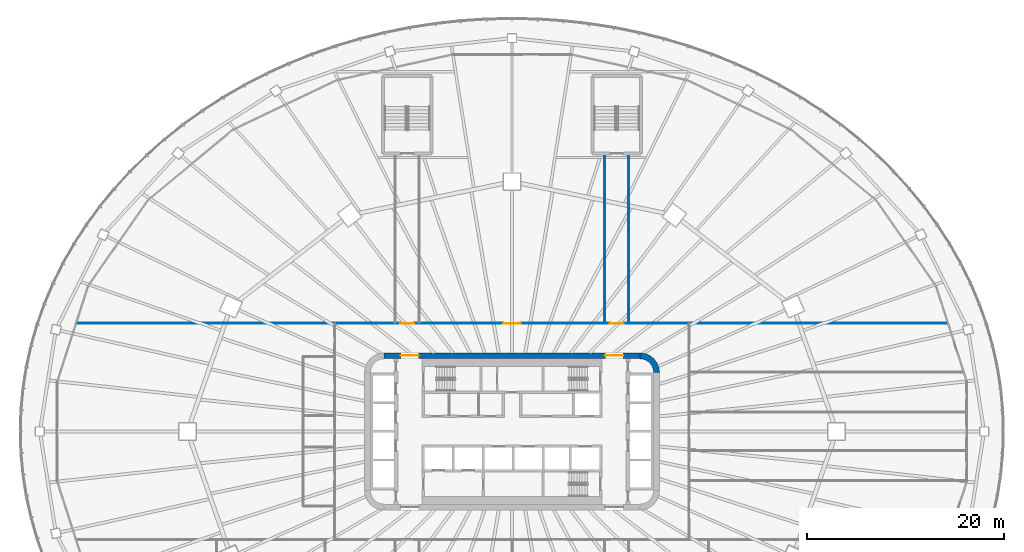
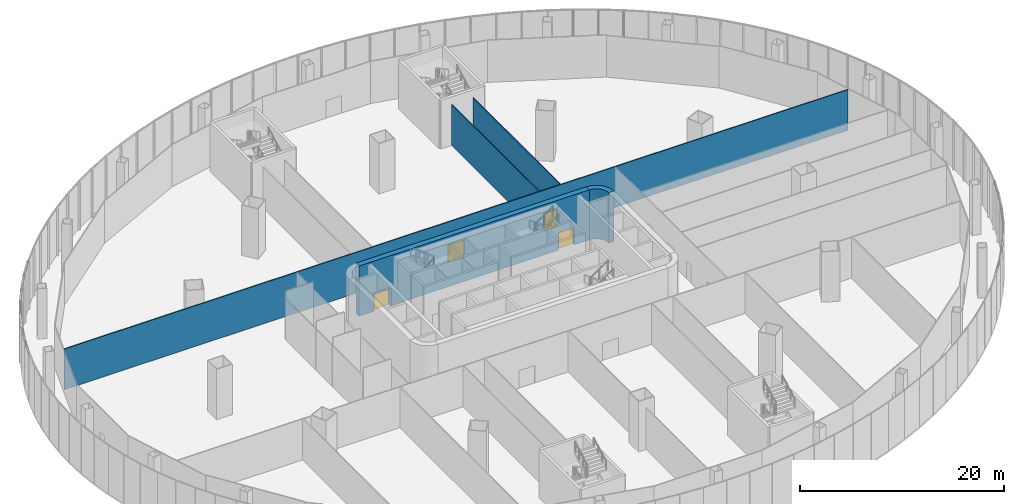
# One storey, part 24 of 37: 5 doors, 5 walls, 5 openings.
"""IFC4 building model written with IfcOpenShell, lengths in metres."""

import ifcopenshell
import ifcopenshell.guid

model = None  # the IFC model being written
_history = None  # IfcOwnerHistory: only IFC2X3 demands one
_inside = {}  # id of a spatial element -> (the spatial element, [elements in it])
_under = {}  # id of a project, library or spatial element -> (it, [spatial elements below it])
_declared = {}  # id of a project -> (the project, [libraries it declares])
_typed = {}  # id of a type object -> (the type object, [elements of that type])
_made_of = {}  # id of a material, layer set ... -> (it, [elements and type objects made of it])


def new_model(schema):
    """Start an empty IFC model of exactly this schema.

    Asked for "IFC4X3", IfcOpenShell would pick the latest addendum, in which some entities
    have other attributes; the version numbers below select the first issue.
    IFC2X3 requires an IfcOwnerHistory on every rooted entity: one is made here for all.
    """
    global model, _history
    if schema == "IFC4X3":
        model = ifcopenshell.file(schema_version=(4, 3, 0, 0))
    else:
        model = ifcopenshell.file(schema=schema)
    _inside.clear()
    _under.clear()
    _declared.clear()
    _typed.clear()
    _made_of.clear()
    _history = None
    if model.schema == "IFC2X3":
        org = make("IfcOrganization", Name="unknown")
        user = make(
            "IfcPersonAndOrganization",
            ThePerson=make("IfcPerson", FamilyName="unknown"),
            TheOrganization=org,
        )
        app = make(
            "IfcApplication",
            ApplicationDeveloper=org,
            Version="unknown",
            ApplicationFullName="unknown",
            ApplicationIdentifier="unknown",
        )
        _history = make(
            "IfcOwnerHistory",
            OwningUser=user,
            OwningApplication=app,
            ChangeAction="ADDED",
            CreationDate=0,
        )
    return model


def make(cls, **values):
    """One entity of the class cls with the attributes given. An attribute that is None is left unset."""
    return model.create_entity(
        cls, **{name: value for name, value in values.items() if value is not None}
    )


def rooted(cls, **values):
    """An entity with a GlobalId (a new one), such as an element, a storey or a relation."""
    return make(cls, GlobalId=ifcopenshell.guid.new(), OwnerHistory=_history, **values)


def si_unit(unit_type, name, prefix=None):
    """IfcSIUnit, for example si_unit("LENGTHUNIT", "METRE", prefix="MILLI")."""
    return make("IfcSIUnit", UnitType=unit_type, Prefix=prefix, Name=name)


def assignment(units):
    """IfcUnitAssignment: the units of a project."""
    return None if units is None else make("IfcUnitAssignment", Units=units)


def point(xyz):
    """IfcCartesianPoint."""
    return None if xyz is None else make("IfcCartesianPoint", Coordinates=xyz)


def direction(xyz):
    """IfcDirection."""
    return None if xyz is None else make("IfcDirection", DirectionRatios=xyz)


def frame(location, z_axis=None, x_axis=None):
    """IfcAxis2Placement3D, a coordinate frame: its origin and axes. An axis left out is left unset."""
    return make(
        "IfcAxis2Placement3D",
        Location=point(location),
        Axis=direction(z_axis),
        RefDirection=direction(x_axis),
    )


def frame_2d(location, x_axis=None):
    """IfcAxis2Placement2D, a coordinate frame in the plane: its origin and x axis."""
    return make(
        "IfcAxis2Placement2D", Location=point(location), RefDirection=direction(x_axis)
    )


def origin():
    """The frame at (0, 0, 0) with its axes left unset."""
    return frame((0.0, 0.0, 0.0))


def place(relative_to, where):
    """IfcLocalPlacement: puts the frame where relative to a parent placement (None: the world)."""
    return make(
        "IfcLocalPlacement", PlacementRelTo=relative_to, RelativePlacement=where
    )


def context(
    kind, dimensions, precision=None, world=None, true_north=None, identifier=None
):
    """IfcGeometricRepresentationContext, for example the 3D "Model" context."""
    return make(
        "IfcGeometricRepresentationContext",
        ContextIdentifier=identifier,
        ContextType=kind,
        CoordinateSpaceDimension=dimensions,
        Precision=precision,
        WorldCoordinateSystem=world,
        TrueNorth=true_north,
    )


def subcontext(parent, identifier, kind, view, scale=None):
    """IfcGeometricRepresentationSubContext, for example "Body" below "Model"."""
    return make(
        "IfcGeometricRepresentationSubContext",
        ContextIdentifier=identifier,
        ContextType=kind,
        ParentContext=parent,
        TargetScale=scale,
        TargetView=view,
    )


def project(units=None, contexts=None):
    """IfcProject with its units and contexts."""
    return rooted(
        "IfcProject",
        Name="project",
        RepresentationContexts=contexts,
        UnitsInContext=assignment(units),
    )


def spatial(cls, under=None, at=None, **own):
    """A site, building, storey or space (cls), placed at a placement, below another one or the project."""
    s = rooted(cls, ObjectPlacement=at, **own)
    if under is not None:
        _under.setdefault(under.id(), (under, []))[1].append(s)
    return s


def polyline(points):
    """IfcPolyline through the points."""
    return make("IfcPolyline", Points=[point(p) for p in points])


def profile(cls, at=None, kind="AREA", **sizes):
    """A parametric profile (cls). Its sizes go by their IFC names, for example OverallWidth=200.0."""
    return make(cls, ProfileType=kind, Position=at, **sizes)


def rectangle(**sizes):
    """IfcRectangleProfileDef."""
    return profile("IfcRectangleProfileDef", **sizes)


def outline(outer, holes=None, kind="AREA"):
    """IfcArbitraryClosedProfileDef: a profile drawn as a closed curve; with holes, ...WithVoids."""
    if holes is None:
        return make("IfcArbitraryClosedProfileDef", ProfileType=kind, OuterCurve=outer)
    return make(
        "IfcArbitraryProfileDefWithVoids",
        ProfileType=kind,
        OuterCurve=outer,
        InnerCurves=holes,
    )


def extrude(swept, where, along, depth):
    """IfcExtrudedAreaSolid: the profile swept, set in the frame where, extruded along a direction by depth."""
    return make(
        "IfcExtrudedAreaSolid",
        SweptArea=swept,
        Position=where,
        ExtrudedDirection=direction(along),
        Depth=depth,
    )


def shape(context_of_items, identifier, shape_type, items):
    """IfcShapeRepresentation: the items that make up one representation, for example the "Body"."""
    return make(
        "IfcShapeRepresentation",
        ContextOfItems=context_of_items,
        RepresentationIdentifier=identifier,
        RepresentationType=shape_type,
        Items=items,
    )


def material(Name=None, Category=None):
    """IfcMaterial."""
    return make("IfcMaterial", Name=Name, Category=Category)


def layer(
    of_material, thickness, ventilated=None, Name=None, Category=None, Priority=None
):
    """IfcMaterialLayer: one layer of a wall or slab, of a material (None: an air gap)."""
    return make(
        "IfcMaterialLayer",
        Material=of_material,
        LayerThickness=thickness,
        IsVentilated=ventilated,
        Name=Name,
        Category=Category,
        Priority=Priority,
    )


def layer_set(layers, Name=None):
    """IfcMaterialLayerSet."""
    return make("IfcMaterialLayerSet", MaterialLayers=layers, LayerSetName=Name)


def made_of(thing, what):
    """Note that an element or type object is made of a material, layer set ...; save() writes the relation."""
    if what is not None:
        _made_of.setdefault(what.id(), (what, []))[1].append(thing)
    return thing


def type_object(cls, material=None, **own):
    """A type object (cls), such as IfcWallType, which elements share."""
    return made_of(rooted(cls, **own), material)


def element(
    cls,
    number,
    at=None,
    inside=None,
    cuts=None,
    type_object=None,
    material=None,
    context=None,
    identifier="Body",
    shape_type=None,
    held_by="IfcProductDefinitionShape",
    body=None,
    shapes=None,
    **own,
):
    """One element of the class cls, such as IfcWall. Its Tag is "e" and its number.

    at: its placement. inside: the storey or other place that contains it. cuts: it is an
    opening in that element (IfcRelVoidsElement). A single representation is given by context,
    identifier, shape_type and body (its items); several are given by shapes. held_by: the class
    of the entity that holds the representations. save() writes the other relations.
    """
    e = rooted(cls, Tag="e%d" % number, ObjectPlacement=at, **own)
    if body is not None:
        shapes = [shape(context, identifier, shape_type, body)]
    if shapes is not None:
        e.Representation = make(held_by, Representations=shapes)
    if inside is not None:
        _inside.setdefault(inside.id(), (inside, []))[1].append(e)
    if cuts is not None:
        rooted(
            "IfcRelVoidsElement", RelatingBuildingElement=cuts, RelatedOpeningElement=e
        )
    if type_object is not None:
        _typed.setdefault(type_object.id(), (type_object, []))[1].append(e)
    return made_of(e, material)


def fill(opening, filler):
    """IfcRelFillsElement: the door or window that sits in an opening."""
    return rooted(
        "IfcRelFillsElement",
        RelatingOpeningElement=opening,
        RelatedBuildingElement=filler,
    )


def aggregate(whole, parts):
    """IfcRelAggregates: a whole, such as a stair, and the parts it consists of."""
    return rooted("IfcRelAggregates", RelatingObject=whole, RelatedObjects=parts)


def save(model, path):
    """Write the relations noted so far, then the file.

    IfcRelAggregates (storeys below a building ...), IfcRelContainedInSpatialStructure (elements
    in a storey), IfcRelDefinesByType, IfcRelAssociatesMaterial and IfcRelDeclares: one each for
    every whole, place, type object, material and project.
    """
    for whole, parts in _under.values():
        aggregate(whole, parts)
    for where, things in _inside.values():
        rooted(
            "IfcRelContainedInSpatialStructure",
            RelatedElements=things,
            RelatingStructure=where,
        )
    for kind, things in _typed.values():
        rooted("IfcRelDefinesByType", RelatedObjects=things, RelatingType=kind)
    for what, things in _made_of.values():
        rooted("IfcRelAssociatesMaterial", RelatedObjects=things, RelatingMaterial=what)
    for by, libraries in _declared.values():
        rooted("IfcRelDeclares", RelatingContext=by, RelatedDefinitions=libraries)
    model.write(path)


model = new_model("IFC4")

# Units and contexts
model_context = context("Model", 3, precision=1e-05, world=origin(), true_north=direction((0.0, 1.0)))
body_context = subcontext(model_context, "Body", "Model", "MODEL_VIEW")
ifc_project = project(units=[si_unit("LENGTHUNIT", "METRE"), si_unit("AREAUNIT", "SQUARE_METRE"), si_unit("VOLUMEUNIT", "CUBIC_METRE"), si_unit("PLANEANGLEUNIT", "RADIAN"), si_unit("MASSUNIT", "GRAM", prefix="KILO")], contexts=[model_context])

# Site, building, storey
site_placement = place(None, origin())
site = spatial("IfcSite", under=ifc_project, at=site_placement, CompositionType="ELEMENT")
building_placement = place(site_placement, origin())
building = spatial("IfcBuilding", under=site, at=building_placement, Name="Sahrelin Media Tower", CompositionType="ELEMENT")
storey_placement = place(building_placement, frame((0.0, 0.0, 31.39990234375)))
storey = spatial("IfcBuildingStorey", under=building, at=storey_placement, Name="L04", CompositionType="ELEMENT", Elevation=31.39990234375)

# Wall, openings, doors
ifc_material_1 = material(Name="Concrete C60/75", Category="concrete")
ifc_layer_1 = layer(ifc_material_1, 0.60009765625)
ifc_layer_set_1 = layer_set([ifc_layer_1], Name="Core wall 600")
wall_type_1 = type_object("IfcWallType", Name="Core wall 600", PredefinedType="SHEAR", material=ifc_layer_set_1)
wall_1_placement = place(storey_placement, frame((-13.0, 7.699951171875, 0.0), z_axis=(0.0, 0.0, 1.0), x_axis=(1.0, 0.0, 0.0)))
wall_1 = element("IfcWall", 1, at=wall_1_placement, inside=storey, type_object=wall_type_1, Name="Core wall N L04", PredefinedType="SHEAR", context=body_context, shape_type="SweptSolid", body=[
    extrude(rectangle(XDim=26.0, YDim=0.60009765625, at=frame_2d((13.0, 0.0))), origin(), (0.0, 0.0, 1.0), 6.0),
])
opening_1_placement = place(wall_1_placement, frame((1.699951171875, 0.0, 0.0)))
opening_1 = element("IfcOpeningElement", 2, at=opening_1_placement, cuts=wall_1, Name="Opening L04-D16", PredefinedType="OPENING", context=body_context, shape_type="SweptSolid", body=[
    extrude(rectangle(XDim=1.800048828125, YDim=2.10009765625, at=frame_2d((0.89990234375, 1.050048828125))), frame((0.0, 0.300048828125, 0.0), z_axis=(0.0, -1.0, 0.0), x_axis=(1.0, 0.0, 0.0)), (0.0, 0.0, 1.0), 0.60009765625),
])
opening_2_placement = place(wall_1_placement, frame((22.5, 0.0, 0.0)))
opening_2 = element("IfcOpeningElement", 3, at=opening_2_placement, cuts=wall_1, Name="Opening L04-D17", PredefinedType="OPENING", context=body_context, shape_type="SweptSolid", body=[
    extrude(rectangle(XDim=1.800048828125, YDim=2.10009765625, at=frame_2d((0.89990234375, 1.050048828125))), frame((0.0, 0.300048828125, 0.0), z_axis=(0.0, -1.0, 0.0), x_axis=(1.0, 0.0, 0.0)), (0.0, 0.0, 1.0), 0.60009765625),
])
ifc_material_2 = material(Name="Steel fire door leaf", Category="steel")
door_type_1 = type_object("IfcDoorType", Name="Lobby double door 1800 x 2100 EI 60", OperationType="DOUBLE_DOOR_SINGLE_SWING", PredefinedType="DOOR", material=ifc_material_2)
door_1_placement = place(opening_1_placement, origin())
door_1 = element("IfcDoor", 4, at=door_1_placement, inside=storey, type_object=door_type_1, Name="Lobby door", OperationType="DOUBLE_DOOR_SINGLE_SWING", OverallHeight=2.10009765625, OverallWidth=1.800048828125, PredefinedType="DOOR", context=body_context, shape_type="SweptSolid", body=[
    extrude(rectangle(XDim=1.800048828125, YDim=2.10009765625, at=frame_2d((0.89990234375, 1.050048828125))), frame((0.0, 0.02490234375, 0.0), z_axis=(0.0, -1.0, 0.0), x_axis=(1.0, 0.0, 0.0)), (0.0, 0.0, 1.0), 0.050048828125),
])
fill(opening_1, door_1)
door_2_placement = place(opening_2_placement, origin())
door_2 = element("IfcDoor", 5, at=door_2_placement, inside=storey, type_object=door_type_1, Name="Lobby door", OperationType="DOUBLE_DOOR_SINGLE_SWING", OverallHeight=2.10009765625, OverallWidth=1.800048828125, PredefinedType="DOOR", context=body_context, shape_type="SweptSolid", body=[
    extrude(rectangle(XDim=1.800048828125, YDim=2.10009765625, at=frame_2d((0.89990234375, 1.050048828125))), frame((0.0, 0.02490234375, 0.0), z_axis=(0.0, -1.0, 0.0), x_axis=(1.0, 0.0, 0.0)), (0.0, 0.0, 1.0), 0.050048828125),
])
fill(opening_2, door_2)

# Wall
wall_2_placement = place(storey_placement, origin())
element("IfcWall", 6, at=wall_2_placement, inside=storey, type_object=wall_type_1, Name="Core wall corner NE L04", PredefinedType="SHEAR", context=body_context, shape_type="SweptSolid", body=[
    extrude(outline(polyline([(13.0, 8.0), (13.0, 7.394775390625), (13.361083984375, 7.347412109375), (13.697509765625, 7.2080078125), (13.986328125, 6.986328125), (14.2080078125, 6.697509765625), (14.347412109375, 6.361083984375), (14.394775390625, 6.0), (15.0, 6.0), (14.931884765625, 6.517578125), (14.732177734375, 7.0), (14.414306640625, 7.414306640625), (14.0, 7.732177734375), (13.517578125, 7.931884765625), (13.0, 8.0)])), origin(), (0.0, 0.0, 1.0), 6.0),
])

# Wall, openings, doors
ifc_material_3 = material(Name="Gypsum board partition")
ifc_layer_2 = layer(ifc_material_3, 0.10009765625)
ifc_layer_set_2 = layer_set([ifc_layer_2], Name="Partition 100")
wall_type_2 = type_object("IfcWallType", Name="Partition 100", PredefinedType="PARTITIONING", material=ifc_layer_set_2)
wall_3_placement = place(storey_placement, frame((-44.256103515625, 11.0, 0.0), z_axis=(0.0, 0.0, 1.0), x_axis=(1.0, 0.0, 0.0)))
wall_3 = element("IfcWall", 7, at=wall_3_placement, inside=storey, type_object=wall_type_2, Name="Wall", PredefinedType="PARTITIONING", context=body_context, shape_type="SweptSolid", body=[
    extrude(rectangle(XDim=88.51220703125, YDim=0.10009765625, at=frame_2d((44.256103515625, 0.0))), origin(), (0.0, 0.0, 1.0), 4.868408203125),
])
opening_3_placement = place(wall_3_placement, frame((54.199951171875, 0.0, 0.0)))
opening_3 = element("IfcOpeningElement", 8, at=opening_3_placement, cuts=wall_3, Name="Opening L04-D20", PredefinedType="OPENING", context=body_context, shape_type="SweptSolid", body=[
    extrude(rectangle(XDim=1.39990234375, YDim=2.10009765625, at=frame_2d((0.699951171875, 1.050048828125))), frame((0.0, 0.050048828125, 0.0), z_axis=(0.0, -1.0, 0.0), x_axis=(1.0, 0.0, 0.0)), (0.0, 0.0, 1.0), 0.10009765625),
])
opening_4_placement = place(wall_3_placement, frame((32.89990234375, 0.0, 0.0)))
opening_4 = element("IfcOpeningElement", 9, at=opening_4_placement, cuts=wall_3, Name="Opening L04-D21", PredefinedType="OPENING", context=body_context, shape_type="SweptSolid", body=[
    extrude(rectangle(XDim=1.39990234375, YDim=2.10009765625, at=frame_2d((0.699951171875, 1.050048828125))), frame((0.0, 0.050048828125, 0.0), z_axis=(0.0, -1.0, 0.0), x_axis=(1.0, 0.0, 0.0)), (0.0, 0.0, 1.0), 0.10009765625),
])
opening_5_placement = place(wall_3_placement, frame((43.35009765625, 0.0, 0.0)))
opening_5 = element("IfcOpeningElement", 10, at=opening_5_placement, cuts=wall_3, Name="Opening L04-D26", PredefinedType="OPENING", context=body_context, shape_type="SweptSolid", body=[
    extrude(rectangle(XDim=1.800048828125, YDim=2.10009765625, at=frame_2d((0.89990234375, 1.050048828125))), frame((0.0, 0.050048828125, 0.0), z_axis=(0.0, -1.0, 0.0), x_axis=(1.0, 0.0, 0.0)), (0.0, 0.0, 1.0), 0.10009765625),
])
ifc_material_4 = material(Name="Timber door leaf", Category="wood")
door_type_2 = type_object("IfcDoorType", Name="Double door 1800 x 2100", OperationType="DOUBLE_DOOR_SINGLE_SWING", PredefinedType="DOOR", material=ifc_material_4)
door_3_placement = place(opening_5_placement, origin())
door_3 = element("IfcDoor", 11, at=door_3_placement, inside=storey, type_object=door_type_2, Name="Double door", OperationType="DOUBLE_DOOR_SINGLE_SWING", OverallHeight=2.10009765625, OverallWidth=1.800048828125, PredefinedType="DOOR", context=body_context, shape_type="SweptSolid", body=[
    extrude(rectangle(XDim=1.800048828125, YDim=2.10009765625, at=frame_2d((0.89990234375, 1.050048828125))), frame((0.0, 0.02490234375, 0.0), z_axis=(0.0, -1.0, 0.0), x_axis=(1.0, 0.0, 0.0)), (0.0, 0.0, 1.0), 0.050048828125),
])
fill(opening_5, door_3)
door_type_3 = type_object("IfcDoorType", Name="Single door 1400 x 2100", OperationType="NOTDEFINED", PredefinedType="DOOR", material=ifc_material_4)
door_4_placement = place(opening_3_placement, origin())
door_4 = element("IfcDoor", 12, at=door_4_placement, inside=storey, type_object=door_type_3, Name="Single door", OperationType="SINGLE_SWING_RIGHT", OverallHeight=2.10009765625, OverallWidth=1.39990234375, PredefinedType="DOOR", context=body_context, shape_type="SweptSolid", body=[
    extrude(rectangle(XDim=1.39990234375, YDim=2.10009765625, at=frame_2d((0.699951171875, 1.050048828125))), frame((0.0, 0.02490234375, 0.0), z_axis=(0.0, -1.0, 0.0), x_axis=(1.0, 0.0, 0.0)), (0.0, 0.0, 1.0), 0.050048828125),
])
fill(opening_3, door_4)
door_5_placement = place(opening_4_placement, origin())
door_5 = element("IfcDoor", 13, at=door_5_placement, inside=storey, type_object=door_type_3, Name="Single door", OperationType="SINGLE_SWING_LEFT", OverallHeight=2.10009765625, OverallWidth=1.39990234375, PredefinedType="DOOR", context=body_context, shape_type="SweptSolid", body=[
    extrude(rectangle(XDim=1.39990234375, YDim=2.10009765625, at=frame_2d((0.699951171875, 1.050048828125))), frame((0.0, 0.02490234375, 0.0), z_axis=(0.0, -1.0, 0.0), x_axis=(1.0, 0.0, 0.0)), (0.0, 0.0, 1.0), 0.050048828125),
])
fill(opening_4, door_5)

# Walls
for number, where, z_axis, x_axis, name in (
    (14, (9.449951171875, 11.050048828125, 0.0), (0.0, 0.0, 1.0), (0.0, 1.0, 0.0), "Wall"),
    (15, (11.85009765625, 11.050048828125, 0.0), (0.0, 0.0, 1.0), (0.0, 1.0, 0.0), "Wall"),
):
    element("IfcWall", number, at=place(storey_placement, frame(where, z_axis=z_axis, x_axis=x_axis)), inside=storey, type_object=wall_type_2, Name=name, PredefinedType="PARTITIONING", context=body_context, shape_type="SweptSolid", body=[
        extrude(rectangle(XDim=17.050048828125, YDim=0.10009765625, at=frame_2d((8.52490234375, 0.0))), origin(), (0.0, 0.0, 1.0), 4.868408203125),
    ])

save(model, "model.ifc")
